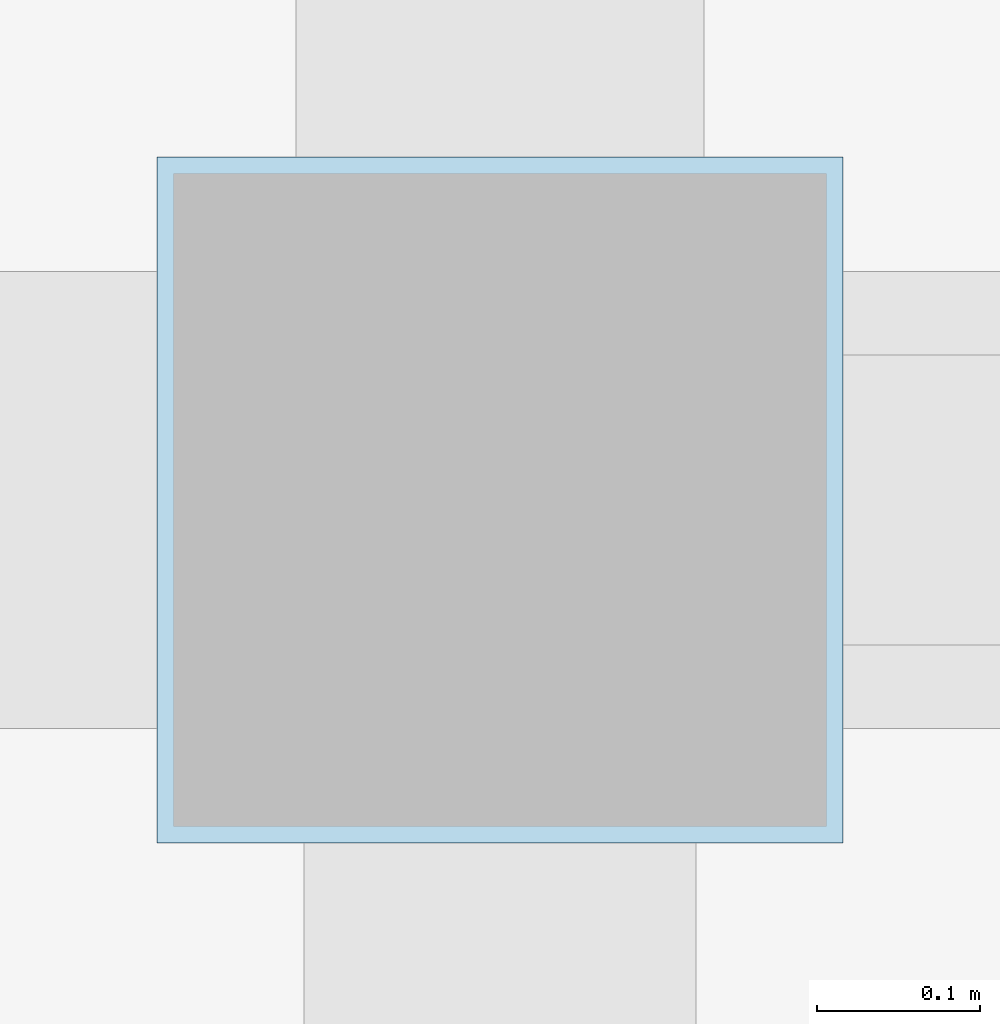
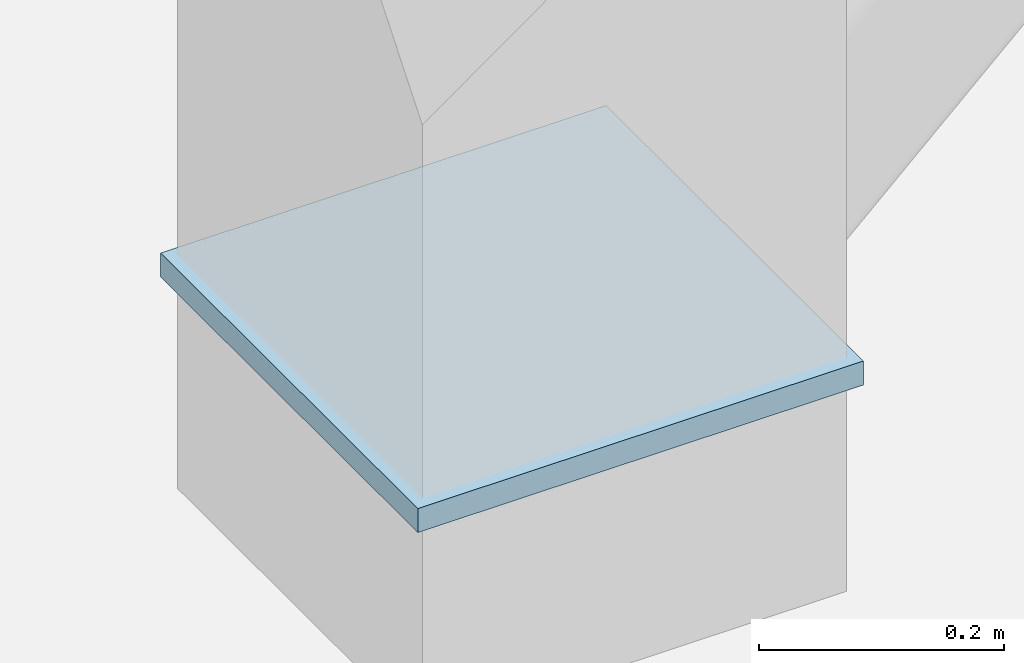
# One storey, part 33 of 45: 1 plate.
"""IFC4 building model written with IfcOpenShell, lengths in metres."""

from ifc_helpers import new_model, si_unit, direction, frame, origin, origin_2d, place, context, subcontext, project, spatial, rectangle, extrude, material, layer, layer_set, type_object, element, save


model = new_model("IFC4")

# Units and contexts
model_context = context("Model", 3, precision=1e-05, world=origin(), true_north=direction((0.0, 1.0)))
body_context = subcontext(model_context, "Body", "Model", "MODEL_VIEW")
ifc_project = project(units=[si_unit("LENGTHUNIT", "METRE"), si_unit("AREAUNIT", "SQUARE_METRE"), si_unit("VOLUMEUNIT", "CUBIC_METRE"), si_unit("PLANEANGLEUNIT", "RADIAN"), si_unit("MASSUNIT", "GRAM", prefix="KILO")], contexts=[model_context])

# Site, building, storey
site_placement = place(None, origin())
site = spatial("IfcSite", under=ifc_project, at=site_placement, CompositionType="ELEMENT")
building_placement = place(site_placement, origin())
building = spatial("IfcBuilding", under=site, at=building_placement, Name="Solvane Community Centre", CompositionType="ELEMENT")
storey_placement = place(building_placement, frame((0.0, 0.0, 13.800048828125)))
storey = spatial("IfcBuildingStorey", under=building, at=storey_placement, Name="L03", CompositionType="ELEMENT", Elevation=13.800048828125)

# Plate
ifc_material = material(Name="Steel ASTM A572 Grade 50", Category="steel")
ifc_layer = layer(ifc_material, 0.02392578125)
ifc_layer_set = layer_set([ifc_layer], Name="Steel ASTM A572 Grade 50")
plate_type = type_object("IfcPlateType", Name="Bracing Node Gusset Plate 420x420x24", PredefinedType="USERDEFINED", material=ifc_layer_set)
plate_placement = place(storey_placement, frame((132.0, 30.0, 0.2080078125), z_axis=(0.0, 0.0, 1.0), x_axis=(1.0, 0.0, 0.0)))
element("IfcPlate", 1, at=plate_placement, inside=storey, type_object=plate_type, Name="Gusset Plate PLT-L03-0122", ObjectType="GUSSET_PLATE", PredefinedType="USERDEFINED", context=body_context, shape_type="SweptSolid", body=[
    extrude(rectangle(XDim=0.419921875, YDim=0.419921875, at=origin_2d()), origin(), (0.0, 0.0, 1.0), 0.02392578125),
])

save(model, "model.ifc")
